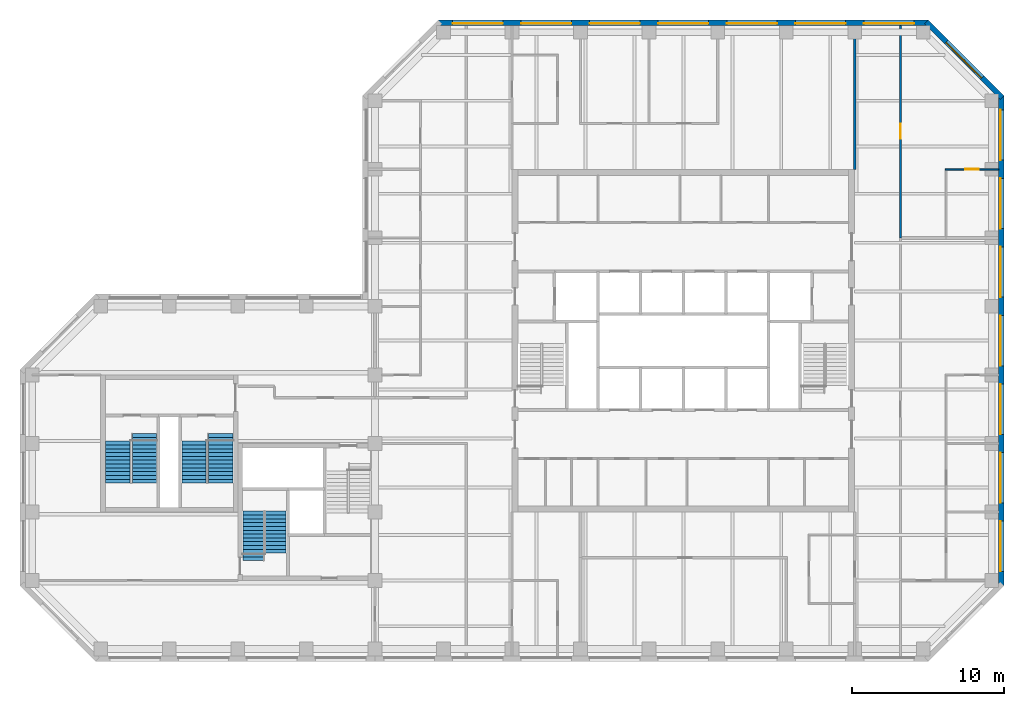
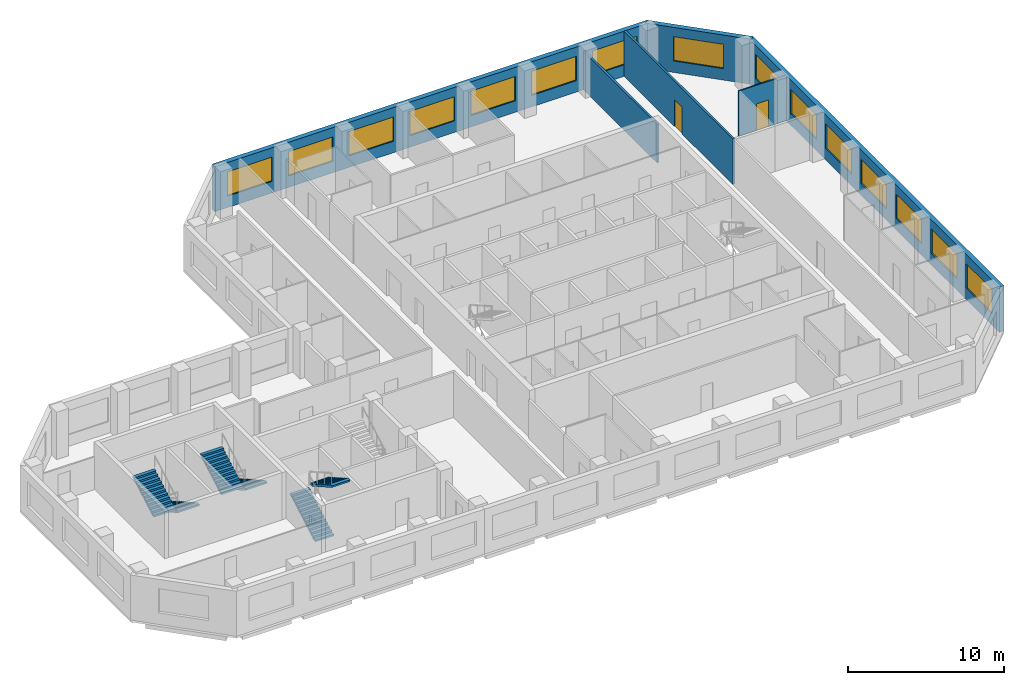
# One storey, part 8 of 10: 15 windows, 6 stair flights, 6 walls, 2 doors, 17 openings, 3 elements without a shape of their own.
"""IFC4 building model written with IfcOpenShell, lengths in metres."""

from ifc_helpers import new_model, si_unit, direction, frame, frame_2d, origin, place, context, subcontext, project, spatial, polyline, rectangle, outline, extrude, material, layer, layer_set, constituent, constituent_set, type_object, element, fill, aggregate, save


model = new_model("IFC4")

# Units and contexts
model_context = context("Model", 3, precision=1e-05, world=origin(), true_north=direction((0.0, 1.0)))
body_context = subcontext(model_context, "Body", "Model", "MODEL_VIEW")
ifc_project = project(units=[si_unit("LENGTHUNIT", "METRE"), si_unit("AREAUNIT", "SQUARE_METRE"), si_unit("VOLUMEUNIT", "CUBIC_METRE"), si_unit("PLANEANGLEUNIT", "RADIAN"), si_unit("MASSUNIT", "GRAM", prefix="KILO")], contexts=[model_context])

# Site, building, storey
site_placement = place(None, origin())
site = spatial("IfcSite", under=ifc_project, at=site_placement, CompositionType="ELEMENT")
building_placement = place(site_placement, origin())
building = spatial("IfcBuilding", under=site, at=building_placement, Name="Quoin Convention Tower", CompositionType="ELEMENT")
storey_placement = place(building_placement, frame((0.0, 0.0, 256.300048828125)))
storey = spatial("IfcBuildingStorey", under=building, at=storey_placement, Name="L67", CompositionType="ELEMENT", Elevation=256.300048828125)

# Wall, openings, windows
ifc_material_1 = material(Name="Brick masonry", Category="masonry")
ifc_layer_1 = layer(ifc_material_1, 0.35009765625)
ifc_layer_set_1 = layer_set([ifc_layer_1], Name="Brick masonry")
wall_type_1 = type_object("IfcWallType", Name="Brick facade wall", PredefinedType="STANDARD", material=ifc_layer_set_1)
wall_1_placement = place(storey_placement, frame((77.125, 44.668701171875, 0.0), z_axis=(0.0, 0.0, 1.0), x_axis=(0.0, 1.0, 0.0)))
wall_1 = element("IfcWall", 1, at=wall_1_placement, inside=storey, type_object=wall_type_1, Name="fw-L67-76500_45000", PredefinedType="STANDARD", context=body_context, shape_type="SweptSolid", body=[
    extrude(rectangle(XDim=32.16259765625, YDim=0.35009765625, at=frame_2d((16.081298828125, 0.0))), origin(), (0.0, 0.0, 1.0), 3.52490234375),
])
opening_1_placement = place(wall_1_placement, frame((0.931396484375, 0.0, 0.89990234375)))
opening_1 = element("IfcOpeningElement", 2, at=opening_1_placement, cuts=wall_1, Name="Opening W-02", PredefinedType="OPENING", context=body_context, shape_type="SweptSolid", body=[
    extrude(rectangle(XDim=3.300048828125, YDim=1.89990234375, at=frame_2d((1.64990234375, 0.949951171875))), frame((0.0, 0.18505859375, 0.0), z_axis=(0.0, -1.0, 0.0), x_axis=(1.0, 0.0, 0.0)), (0.0, 0.0, 1.0), 0.3701171875),
])
opening_2_placement = place(wall_1_placement, frame((5.431396484375, 0.0, 0.89990234375)))
opening_2 = element("IfcOpeningElement", 3, at=opening_2_placement, cuts=wall_1, Name="Opening W-02", PredefinedType="OPENING", context=body_context, shape_type="SweptSolid", body=[
    extrude(rectangle(XDim=3.300048828125, YDim=1.89990234375, at=frame_2d((1.64990234375, 0.949951171875))), frame((0.0, 0.18505859375, 0.0), z_axis=(0.0, -1.0, 0.0), x_axis=(1.0, 0.0, 0.0)), (0.0, 0.0, 1.0), 0.3701171875),
])
opening_3_placement = place(wall_1_placement, frame((9.931396484375, 0.0, 0.89990234375)))
opening_3 = element("IfcOpeningElement", 4, at=opening_3_placement, cuts=wall_1, Name="Opening W-02", PredefinedType="OPENING", context=body_context, shape_type="SweptSolid", body=[
    extrude(rectangle(XDim=3.300048828125, YDim=1.89990234375, at=frame_2d((1.64990234375, 0.949951171875))), frame((0.0, 0.18505859375, 0.0), z_axis=(0.0, -1.0, 0.0), x_axis=(1.0, 0.0, 0.0)), (0.0, 0.0, 1.0), 0.3701171875),
])
opening_4_placement = place(wall_1_placement, frame((14.431396484375, 0.0, 0.89990234375)))
opening_4 = element("IfcOpeningElement", 5, at=opening_4_placement, cuts=wall_1, Name="Opening W-02", PredefinedType="OPENING", context=body_context, shape_type="SweptSolid", body=[
    extrude(rectangle(XDim=3.300048828125, YDim=1.89990234375, at=frame_2d((1.64990234375, 0.949951171875))), frame((0.0, 0.18505859375, 0.0), z_axis=(0.0, -1.0, 0.0), x_axis=(1.0, 0.0, 0.0)), (0.0, 0.0, 1.0), 0.3701171875),
])
opening_5_placement = place(wall_1_placement, frame((18.931396484375, 0.0, 0.89990234375)))
opening_5 = element("IfcOpeningElement", 6, at=opening_5_placement, cuts=wall_1, Name="Opening W-02", PredefinedType="OPENING", context=body_context, shape_type="SweptSolid", body=[
    extrude(rectangle(XDim=3.300048828125, YDim=1.89990234375, at=frame_2d((1.64990234375, 0.949951171875))), frame((0.0, 0.18505859375, 0.0), z_axis=(0.0, -1.0, 0.0), x_axis=(1.0, 0.0, 0.0)), (0.0, 0.0, 1.0), 0.3701171875),
])
opening_6_placement = place(wall_1_placement, frame((23.431396484375, 0.0, 0.89990234375)))
opening_6 = element("IfcOpeningElement", 7, at=opening_6_placement, cuts=wall_1, Name="Opening W-02", PredefinedType="OPENING", context=body_context, shape_type="SweptSolid", body=[
    extrude(rectangle(XDim=3.300048828125, YDim=1.89990234375, at=frame_2d((1.64990234375, 0.949951171875))), frame((0.0, 0.18505859375, 0.0), z_axis=(0.0, -1.0, 0.0), x_axis=(1.0, 0.0, 0.0)), (0.0, 0.0, 1.0), 0.3701171875),
])
opening_7_placement = place(wall_1_placement, frame((27.931396484375, 0.0, 0.89990234375)))
opening_7 = element("IfcOpeningElement", 8, at=opening_7_placement, cuts=wall_1, Name="Opening W-02", PredefinedType="OPENING", context=body_context, shape_type="SweptSolid", body=[
    extrude(rectangle(XDim=3.300048828125, YDim=1.89990234375, at=frame_2d((1.64990234375, 0.949951171875))), frame((0.0, 0.18505859375, 0.0), z_axis=(0.0, -1.0, 0.0), x_axis=(1.0, 0.0, 0.0)), (0.0, 0.0, 1.0), 0.3701171875),
])
ifc_material_2 = material(Name="Aluminium", Category="aluminium")
ifc_constituent_1 = constituent(ifc_material_2, Name="Frame")
ifc_material_3 = material(Name="Insulated glass", Category="glass")
ifc_constituent_2 = constituent(ifc_material_3, Name="Glazing")
ifc_constituent_set = constituent_set(constituents=[ifc_constituent_1, ifc_constituent_2], Name="Aluminium")
window_type = type_object("IfcWindowType", Name="Office window", PartitioningType="DOUBLE_PANEL_VERTICAL", PredefinedType="WINDOW", material=ifc_constituent_set)
window_1_placement = place(opening_1_placement, origin())
window_1 = element("IfcWindow", 9, at=window_1_placement, inside=storey, type_object=window_type, Name="win-L67-77125_47250", OverallHeight=1.89990234375, OverallWidth=3.300048828125, PartitioningType="SINGLE_PANEL", PredefinedType="WINDOW", context=body_context, shape_type="SweptSolid", body=[
    extrude(rectangle(XDim=3.300048828125, YDim=1.89990234375, at=frame_2d((1.64990234375, 0.949951171875))), frame((0.0, 0.0849609375, 0.0), z_axis=(0.0, -1.0, 0.0), x_axis=(1.0, 0.0, 0.0)), (0.0, 0.0, 1.0), 0.06005859375),
])
fill(opening_1, window_1)
window_2_placement = place(opening_2_placement, origin())
window_2 = element("IfcWindow", 10, at=window_2_placement, inside=storey, type_object=window_type, Name="win-L67-77125_51750", OverallHeight=1.89990234375, OverallWidth=3.300048828125, PartitioningType="SINGLE_PANEL", PredefinedType="WINDOW", context=body_context, shape_type="SweptSolid", body=[
    extrude(rectangle(XDim=3.300048828125, YDim=1.89990234375, at=frame_2d((1.64990234375, 0.949951171875))), frame((0.0, 0.0849609375, 0.0), z_axis=(0.0, -1.0, 0.0), x_axis=(1.0, 0.0, 0.0)), (0.0, 0.0, 1.0), 0.06005859375),
])
fill(opening_2, window_2)
window_3_placement = place(opening_3_placement, origin())
window_3 = element("IfcWindow", 11, at=window_3_placement, inside=storey, type_object=window_type, Name="win-L67-77125_56250", OverallHeight=1.89990234375, OverallWidth=3.300048828125, PartitioningType="SINGLE_PANEL", PredefinedType="WINDOW", context=body_context, shape_type="SweptSolid", body=[
    extrude(rectangle(XDim=3.300048828125, YDim=1.89990234375, at=frame_2d((1.64990234375, 0.949951171875))), frame((0.0, 0.0849609375, 0.0), z_axis=(0.0, -1.0, 0.0), x_axis=(1.0, 0.0, 0.0)), (0.0, 0.0, 1.0), 0.06005859375),
])
fill(opening_3, window_3)
window_4_placement = place(opening_4_placement, origin())
window_4 = element("IfcWindow", 12, at=window_4_placement, inside=storey, type_object=window_type, Name="win-L67-77125_60750", OverallHeight=1.89990234375, OverallWidth=3.300048828125, PartitioningType="SINGLE_PANEL", PredefinedType="WINDOW", context=body_context, shape_type="SweptSolid", body=[
    extrude(rectangle(XDim=3.300048828125, YDim=1.89990234375, at=frame_2d((1.64990234375, 0.949951171875))), frame((0.0, 0.0849609375, 0.0), z_axis=(0.0, -1.0, 0.0), x_axis=(1.0, 0.0, 0.0)), (0.0, 0.0, 1.0), 0.06005859375),
])
fill(opening_4, window_4)
window_5_placement = place(opening_5_placement, origin())
window_5 = element("IfcWindow", 13, at=window_5_placement, inside=storey, type_object=window_type, Name="win-L67-77125_65250", OverallHeight=1.89990234375, OverallWidth=3.300048828125, PartitioningType="SINGLE_PANEL", PredefinedType="WINDOW", context=body_context, shape_type="SweptSolid", body=[
    extrude(rectangle(XDim=3.300048828125, YDim=1.89990234375, at=frame_2d((1.64990234375, 0.949951171875))), frame((0.0, 0.0849609375, 0.0), z_axis=(0.0, -1.0, 0.0), x_axis=(1.0, 0.0, 0.0)), (0.0, 0.0, 1.0), 0.06005859375),
])
fill(opening_5, window_5)
window_6_placement = place(opening_6_placement, origin())
window_6 = element("IfcWindow", 14, at=window_6_placement, inside=storey, type_object=window_type, Name="win-L67-77125_69750", OverallHeight=1.89990234375, OverallWidth=3.300048828125, PartitioningType="SINGLE_PANEL", PredefinedType="WINDOW", context=body_context, shape_type="SweptSolid", body=[
    extrude(rectangle(XDim=3.300048828125, YDim=1.89990234375, at=frame_2d((1.64990234375, 0.949951171875))), frame((0.0, 0.0849609375, 0.0), z_axis=(0.0, -1.0, 0.0), x_axis=(1.0, 0.0, 0.0)), (0.0, 0.0, 1.0), 0.06005859375),
])
fill(opening_6, window_6)
window_7_placement = place(opening_7_placement, origin())
window_7 = element("IfcWindow", 15, at=window_7_placement, inside=storey, type_object=window_type, Name="win-L67-77125_74250", OverallHeight=1.89990234375, OverallWidth=3.300048828125, PartitioningType="SINGLE_PANEL", PredefinedType="WINDOW", context=body_context, shape_type="SweptSolid", body=[
    extrude(rectangle(XDim=3.300048828125, YDim=1.89990234375, at=frame_2d((1.64990234375, 0.949951171875))), frame((0.0, 0.0849609375, 0.0), z_axis=(0.0, -1.0, 0.0), x_axis=(1.0, 0.0, 0.0)), (0.0, 0.0, 1.0), 0.06005859375),
])
fill(opening_7, window_7)

# Wall, opening, window
wall_2_placement = place(storey_placement, frame((77.17626953125, 76.70751953125, 0.0), z_axis=(0.0, 0.0, 1.0), x_axis=(-0.707106781187, 0.707106781187, 0.0)))
wall_2 = element("IfcWall", 16, at=wall_2_placement, inside=storey, type_object=wall_type_1, Name="fw-L67-76500_76500", PredefinedType="STANDARD", context=body_context, shape_type="SweptSolid", body=[
    extrude(rectangle(XDim=7.02685546875, YDim=0.35009765625, at=frame_2d((3.513427734375, 0.0))), origin(), (0.0, 0.0, 1.0), 3.52490234375),
])
opening_8_placement = place(wall_2_placement, frame((1.86328125, 0.0, 0.89990234375)))
opening_8 = element("IfcOpeningElement", 17, at=opening_8_placement, cuts=wall_2, Name="Opening W-02", PredefinedType="OPENING", context=body_context, shape_type="SweptSolid", body=[
    extrude(rectangle(XDim=3.300048828125, YDim=1.89990234375, at=frame_2d((1.64990234375, 0.949951171875))), frame((0.0, 0.18505859375, 0.0), z_axis=(0.0, -1.0, 0.0), x_axis=(1.0, 0.0, 0.0)), (0.0, 0.0, 1.0), 0.3701171875),
])
window_8_placement = place(opening_8_placement, origin())
window_8 = element("IfcWindow", 18, at=window_8_placement, inside=storey, type_object=window_type, Name="win-L67-74692_79192", OverallHeight=1.89990234375, OverallWidth=3.300048828125, PartitioningType="SINGLE_PANEL", PredefinedType="WINDOW", context=body_context, shape_type="SweptSolid", body=[
    extrude(rectangle(XDim=3.300048828125, YDim=1.89990234375, at=frame_2d((1.64990234375, 0.949951171875))), frame((0.0, 0.0849609375, 0.0), z_axis=(0.0, -1.0, 0.0), x_axis=(1.0, 0.0, 0.0)), (0.0, 0.0, 1.0), 0.06005859375),
])
fill(opening_8, window_8)

# Wall, openings, windows
wall_3_placement = place(storey_placement, frame((72.331298828125, 81.625, 0.0), z_axis=(0.0, 0.0, 1.0), x_axis=(-1.0, 0.0, 0.0)))
wall_3 = element("IfcWall", 19, at=wall_3_placement, inside=storey, type_object=wall_type_1, Name="fw-L67-72000_81000", PredefinedType="STANDARD", context=body_context, shape_type="SweptSolid", body=[
    extrude(rectangle(XDim=32.16259765625, YDim=0.35009765625, at=frame_2d((16.081298828125, 0.0))), origin(), (0.0, 0.0, 1.0), 3.52490234375),
])
opening_9_placement = place(wall_3_placement, frame((0.931396484375, 0.0, 0.89990234375)))
opening_9 = element("IfcOpeningElement", 20, at=opening_9_placement, cuts=wall_3, Name="Opening W-02", PredefinedType="OPENING", context=body_context, shape_type="SweptSolid", body=[
    extrude(rectangle(XDim=3.300048828125, YDim=1.89990234375, at=frame_2d((1.64990234375, 0.949951171875))), frame((0.0, 0.18505859375, 0.0), z_axis=(0.0, -1.0, 0.0), x_axis=(1.0, 0.0, 0.0)), (0.0, 0.0, 1.0), 0.3701171875),
])
opening_10_placement = place(wall_3_placement, frame((5.431396484375, 0.0, 0.89990234375)))
opening_10 = element("IfcOpeningElement", 21, at=opening_10_placement, cuts=wall_3, Name="Opening W-02", PredefinedType="OPENING", context=body_context, shape_type="SweptSolid", body=[
    extrude(rectangle(XDim=3.300048828125, YDim=1.89990234375, at=frame_2d((1.64990234375, 0.949951171875))), frame((0.0, 0.18505859375, 0.0), z_axis=(0.0, -1.0, 0.0), x_axis=(1.0, 0.0, 0.0)), (0.0, 0.0, 1.0), 0.3701171875),
])
opening_11_placement = place(wall_3_placement, frame((9.931396484375, 0.0, 0.89990234375)))
opening_11 = element("IfcOpeningElement", 22, at=opening_11_placement, cuts=wall_3, Name="Opening W-02", PredefinedType="OPENING", context=body_context, shape_type="SweptSolid", body=[
    extrude(rectangle(XDim=3.300048828125, YDim=1.89990234375, at=frame_2d((1.64990234375, 0.949951171875))), frame((0.0, 0.18505859375, 0.0), z_axis=(0.0, -1.0, 0.0), x_axis=(1.0, 0.0, 0.0)), (0.0, 0.0, 1.0), 0.3701171875),
])
opening_12_placement = place(wall_3_placement, frame((14.431396484375, 0.0, 0.89990234375)))
opening_12 = element("IfcOpeningElement", 23, at=opening_12_placement, cuts=wall_3, Name="Opening W-02", PredefinedType="OPENING", context=body_context, shape_type="SweptSolid", body=[
    extrude(rectangle(XDim=3.300048828125, YDim=1.89990234375, at=frame_2d((1.64990234375, 0.949951171875))), frame((0.0, 0.18505859375, 0.0), z_axis=(0.0, -1.0, 0.0), x_axis=(1.0, 0.0, 0.0)), (0.0, 0.0, 1.0), 0.3701171875),
])
opening_13_placement = place(wall_3_placement, frame((18.931396484375, 0.0, 0.89990234375)))
opening_13 = element("IfcOpeningElement", 24, at=opening_13_placement, cuts=wall_3, Name="Opening W-02", PredefinedType="OPENING", context=body_context, shape_type="SweptSolid", body=[
    extrude(rectangle(XDim=3.300048828125, YDim=1.89990234375, at=frame_2d((1.64990234375, 0.949951171875))), frame((0.0, 0.18505859375, 0.0), z_axis=(0.0, -1.0, 0.0), x_axis=(1.0, 0.0, 0.0)), (0.0, 0.0, 1.0), 0.3701171875),
])
opening_14_placement = place(wall_3_placement, frame((23.431396484375, 0.0, 0.89990234375)))
opening_14 = element("IfcOpeningElement", 25, at=opening_14_placement, cuts=wall_3, Name="Opening W-02", PredefinedType="OPENING", context=body_context, shape_type="SweptSolid", body=[
    extrude(rectangle(XDim=3.300048828125, YDim=1.89990234375, at=frame_2d((1.64990234375, 0.949951171875))), frame((0.0, 0.18505859375, 0.0), z_axis=(0.0, -1.0, 0.0), x_axis=(1.0, 0.0, 0.0)), (0.0, 0.0, 1.0), 0.3701171875),
])
opening_15_placement = place(wall_3_placement, frame((27.931396484375, 0.0, 0.89990234375)))
opening_15 = element("IfcOpeningElement", 26, at=opening_15_placement, cuts=wall_3, Name="Opening W-02", PredefinedType="OPENING", context=body_context, shape_type="SweptSolid", body=[
    extrude(rectangle(XDim=3.300048828125, YDim=1.89990234375, at=frame_2d((1.64990234375, 0.949951171875))), frame((0.0, 0.18505859375, 0.0), z_axis=(0.0, -1.0, 0.0), x_axis=(1.0, 0.0, 0.0)), (0.0, 0.0, 1.0), 0.3701171875),
])
window_9_placement = place(opening_9_placement, origin())
window_9 = element("IfcWindow", 27, at=window_9_placement, inside=storey, type_object=window_type, Name="win-L67-69750_81625", OverallHeight=1.89990234375, OverallWidth=3.300048828125, PartitioningType="SINGLE_PANEL", PredefinedType="WINDOW", context=body_context, shape_type="SweptSolid", body=[
    extrude(rectangle(XDim=3.300048828125, YDim=1.89990234375, at=frame_2d((1.64990234375, 0.949951171875))), frame((0.0, 0.0849609375, 0.0), z_axis=(0.0, -1.0, 0.0), x_axis=(1.0, 0.0, 0.0)), (0.0, 0.0, 1.0), 0.06005859375),
])
fill(opening_9, window_9)
window_10_placement = place(opening_10_placement, origin())
window_10 = element("IfcWindow", 28, at=window_10_placement, inside=storey, type_object=window_type, Name="win-L67-65250_81625", OverallHeight=1.89990234375, OverallWidth=3.300048828125, PartitioningType="SINGLE_PANEL", PredefinedType="WINDOW", context=body_context, shape_type="SweptSolid", body=[
    extrude(rectangle(XDim=3.300048828125, YDim=1.89990234375, at=frame_2d((1.64990234375, 0.949951171875))), frame((0.0, 0.0849609375, 0.0), z_axis=(0.0, -1.0, 0.0), x_axis=(1.0, 0.0, 0.0)), (0.0, 0.0, 1.0), 0.06005859375),
])
fill(opening_10, window_10)
window_11_placement = place(opening_11_placement, origin())
window_11 = element("IfcWindow", 29, at=window_11_placement, inside=storey, type_object=window_type, Name="win-L67-60750_81625", OverallHeight=1.89990234375, OverallWidth=3.300048828125, PartitioningType="SINGLE_PANEL", PredefinedType="WINDOW", context=body_context, shape_type="SweptSolid", body=[
    extrude(rectangle(XDim=3.300048828125, YDim=1.89990234375, at=frame_2d((1.64990234375, 0.949951171875))), frame((0.0, 0.0849609375, 0.0), z_axis=(0.0, -1.0, 0.0), x_axis=(1.0, 0.0, 0.0)), (0.0, 0.0, 1.0), 0.06005859375),
])
fill(opening_11, window_11)
window_12_placement = place(opening_12_placement, origin())
window_12 = element("IfcWindow", 30, at=window_12_placement, inside=storey, type_object=window_type, Name="win-L67-56250_81625", OverallHeight=1.89990234375, OverallWidth=3.300048828125, PartitioningType="SINGLE_PANEL", PredefinedType="WINDOW", context=body_context, shape_type="SweptSolid", body=[
    extrude(rectangle(XDim=3.300048828125, YDim=1.89990234375, at=frame_2d((1.64990234375, 0.949951171875))), frame((0.0, 0.0849609375, 0.0), z_axis=(0.0, -1.0, 0.0), x_axis=(1.0, 0.0, 0.0)), (0.0, 0.0, 1.0), 0.06005859375),
])
fill(opening_12, window_12)
window_13_placement = place(opening_13_placement, origin())
window_13 = element("IfcWindow", 31, at=window_13_placement, inside=storey, type_object=window_type, Name="win-L67-51750_81625", OverallHeight=1.89990234375, OverallWidth=3.300048828125, PartitioningType="SINGLE_PANEL", PredefinedType="WINDOW", context=body_context, shape_type="SweptSolid", body=[
    extrude(rectangle(XDim=3.300048828125, YDim=1.89990234375, at=frame_2d((1.64990234375, 0.949951171875))), frame((0.0, 0.0849609375, 0.0), z_axis=(0.0, -1.0, 0.0), x_axis=(1.0, 0.0, 0.0)), (0.0, 0.0, 1.0), 0.06005859375),
])
fill(opening_13, window_13)
window_14_placement = place(opening_14_placement, origin())
window_14 = element("IfcWindow", 32, at=window_14_placement, inside=storey, type_object=window_type, Name="win-L67-47250_81625", OverallHeight=1.89990234375, OverallWidth=3.300048828125, PartitioningType="SINGLE_PANEL", PredefinedType="WINDOW", context=body_context, shape_type="SweptSolid", body=[
    extrude(rectangle(XDim=3.300048828125, YDim=1.89990234375, at=frame_2d((1.64990234375, 0.949951171875))), frame((0.0, 0.0849609375, 0.0), z_axis=(0.0, -1.0, 0.0), x_axis=(1.0, 0.0, 0.0)), (0.0, 0.0, 1.0), 0.06005859375),
])
fill(opening_14, window_14)
window_15_placement = place(opening_15_placement, origin())
window_15 = element("IfcWindow", 33, at=window_15_placement, inside=storey, type_object=window_type, Name="win-L67-42750_81625", OverallHeight=1.89990234375, OverallWidth=3.300048828125, PartitioningType="SINGLE_PANEL", PredefinedType="WINDOW", context=body_context, shape_type="SweptSolid", body=[
    extrude(rectangle(XDim=3.300048828125, YDim=1.89990234375, at=frame_2d((1.64990234375, 0.949951171875))), frame((0.0, 0.0849609375, 0.0), z_axis=(0.0, -1.0, 0.0), x_axis=(1.0, 0.0, 0.0)), (0.0, 0.0, 1.0), 0.06005859375),
])
fill(opening_15, window_15)

# Wall, opening, door
ifc_material_4 = material(Name="Plasterboard")
ifc_layer_2 = layer(ifc_material_4, 0.012451171875, Name="Finish")
ifc_material_5 = material(Name="Steel stud framing", Category="steel")
ifc_layer_3 = layer(ifc_material_5, 0.125, Name="Structure")
ifc_layer_4 = layer(ifc_material_4, 0.012451171875, Name="Finish")
ifc_layer_set_2 = layer_set([ifc_layer_2, ifc_layer_3, ifc_layer_4], Name="Steel stud framing")
wall_type_2 = type_object("IfcWallType", Name="Corridor wall 150", PredefinedType="PARTITIONING", material=ifc_layer_set_2)
wall_4_placement = place(storey_placement, frame((70.5, 67.5, 0.0), z_axis=(0.0, 0.0, 1.0), x_axis=(0.0, 1.0, 0.0)))
wall_4 = element("IfcWall", 34, at=wall_4_placement, inside=storey, type_object=wall_type_2, Name="pw-L67-070", PredefinedType="PARTITIONING", context=body_context, shape_type="SweptSolid", body=[
    extrude(rectangle(XDim=13.949951171875, YDim=0.14990234375, at=frame_2d((6.97509765625, 0.0))), origin(), (0.0, 0.0, 1.0), 3.550048828125),
])
opening_16_placement = place(wall_4_placement, frame((6.5, 0.0, 0.0)))
opening_16 = element("IfcOpeningElement", 35, at=opening_16_placement, cuts=wall_4, Name="Opening DOHX-20", PredefinedType="OPENING", context=body_context, shape_type="SweptSolid", body=[
    extrude(rectangle(XDim=1.0, YDim=2.10009765625, at=frame_2d((0.5, 1.050048828125))), frame((0.0, 0.0849609375, 0.0), z_axis=(0.0, -1.0, 0.0), x_axis=(1.0, 0.0, 0.0)), (0.0, 0.0, 1.0), 0.169921875),
])
ifc_material_6 = material(Name="Steel door leaf", Category="steel")
door_type_1 = type_object("IfcDoorType", Name="Tenancy entrance door 1000 x 2100", OperationType="DOUBLE_DOOR_SINGLE_SWING", PredefinedType="DOOR", material=ifc_material_6)
door_1_placement = place(opening_16_placement, frame((1.0, 0.0, 0.0), z_axis=(0.0, 0.0, 1.0), x_axis=(-1.0, 0.0, 0.0)))
door_1 = element("IfcDoor", 36, at=door_1_placement, inside=storey, type_object=door_type_1, Name="dr-L67-30", OperationType="DOUBLE_DOOR_SINGLE_SWING", OverallHeight=2.10009765625, OverallWidth=1.0, PredefinedType="DOOR", context=body_context, shape_type="SweptSolid", body=[
    extrude(rectangle(XDim=1.0, YDim=2.10009765625, at=frame_2d((0.5, 1.050048828125))), frame((0.0, 0.02490234375, 0.0), z_axis=(0.0, -1.0, 0.0), x_axis=(1.0, 0.0, 0.0)), (0.0, 0.0, 1.0), 0.050048828125),
])
fill(opening_16, door_1)

# Wall
ifc_layer_5 = layer(ifc_material_4, 0.012451171875, Name="Finish")
ifc_layer_6 = layer(ifc_material_5, 0.125, Name="Structure")
ifc_layer_7 = layer(ifc_material_4, 0.012451171875, Name="Finish")
ifc_layer_set_3 = layer_set([ifc_layer_5, ifc_layer_6, ifc_layer_7], Name="Steel stud framing")
wall_type_3 = type_object("IfcWallType", Name="Corridor wall 150 under beam 528", PredefinedType="PARTITIONING", material=ifc_layer_set_3)
wall_5_placement = place(storey_placement, frame((67.5, 72.0, 0.0), z_axis=(0.0, 0.0, 1.0), x_axis=(0.0, 1.0, 0.0)))
element("IfcWall", 37, at=wall_5_placement, inside=storey, type_object=wall_type_3, Name="pw-L67-074", PredefinedType="PARTITIONING", context=body_context, shape_type="SweptSolid", body=[
    extrude(rectangle(XDim=9.449951171875, YDim=0.14990234375, at=frame_2d((4.72509765625, 0.0))), origin(), (0.0, 0.0, 1.0), 3.02197265625),
])

# Wall, opening, door
ifc_layer_8 = layer(ifc_material_4, 0.012451171875, Name="Finish")
ifc_layer_9 = layer(ifc_material_5, 0.074951171875, Name="Structure")
ifc_layer_10 = layer(ifc_material_4, 0.012451171875, Name="Finish")
ifc_layer_set_4 = layer_set([ifc_layer_8, ifc_layer_9, ifc_layer_10], Name="Steel stud framing")
wall_type_4 = type_object("IfcWallType", Name="Stud partition 100", PredefinedType="PARTITIONING", material=ifc_layer_set_4)
wall_6_placement = place(storey_placement, frame((73.449951171875, 72.0, 0.0), z_axis=(0.0, 0.0, 1.0), x_axis=(1.0, 0.0, 0.0)))
wall_6 = element("IfcWall", 38, at=wall_6_placement, inside=storey, type_object=wall_type_4, Name="pw-L67-028", PredefinedType="PARTITIONING", context=body_context, shape_type="SweptSolid", body=[
    extrude(rectangle(XDim=3.5, YDim=0.10009765625, at=frame_2d((1.75, 0.0))), origin(), (0.0, 0.0, 1.0), 3.550048828125),
])
opening_17_placement = place(wall_6_placement, frame((1.300048828125, 0.0, 0.0)))
opening_17 = element("IfcOpeningElement", 39, at=opening_17_placement, cuts=wall_6, Name="Opening DOHX-07", PredefinedType="OPENING", context=body_context, shape_type="SweptSolid", body=[
    extrude(rectangle(XDim=0.89990234375, YDim=2.10009765625, at=frame_2d((0.449951171875, 1.050048828125))), frame((0.0, 0.06005859375, 0.0), z_axis=(0.0, -1.0, 0.0), x_axis=(1.0, 0.0, 0.0)), (0.0, 0.0, 1.0), 0.1201171875),
])
door_type_2 = type_object("IfcDoorType", Name="Office door 900 x 2100", OperationType="SINGLE_SWING_RIGHT", PredefinedType="DOOR", material=ifc_material_6)
door_2_placement = place(opening_17_placement, origin())
door_2 = element("IfcDoor", 40, at=door_2_placement, inside=storey, type_object=door_type_2, Name="dr-L67-31", OperationType="SINGLE_SWING_RIGHT", OverallHeight=2.10009765625, OverallWidth=0.89990234375, PredefinedType="DOOR", context=body_context, shape_type="SweptSolid", body=[
    extrude(rectangle(XDim=0.89990234375, YDim=2.10009765625, at=frame_2d((0.449951171875, 1.050048828125))), frame((0.0, 0.02490234375, 0.0), z_axis=(0.0, -1.0, 0.0), x_axis=(1.0, 0.0, 0.0)), (0.0, 0.0, 1.0), 0.050048828125),
])
fill(opening_17, door_2)

# Stair, stair flights
ifc_material_7 = material(Name="Concrete C40", Category="concrete")
stair_type_1 = type_object("IfcStairType", Name="Exit stair two-flight 1350", PredefinedType="HALF_TURN_STAIR", material=ifc_material_7)
stair_1_placement = place(storey_placement, origin())
stair_1 = element("IfcStair", 41, at=stair_1_placement, inside=storey, type_object=stair_type_1, Name="SD3 L67", PredefinedType="HALF_TURN_STAIR")
stair_flight_type_1 = type_object("IfcStairFlightType", Name="Stair flight 1350", PredefinedType="STRAIGHT", material=ifc_material_7)
stair_flight_1_placement = place(storey_placement, frame((28.0, 46.300048828125, 0.0), z_axis=(0.0, 0.0, 1.0), x_axis=(0.0, 1.0, 0.0)))
stair_flight_1 = element("IfcStairFlight", 42, at=stair_flight_1_placement, type_object=stair_flight_type_1, Name="ST3 flight 1", NumberOfRisers=14, NumberOfTreads=13, PredefinedType="STRAIGHT", RiserHeight=0.142307692, TreadLength=0.25, context=body_context, shape_type="SweptSolid", body=[
    extrude(outline(polyline([(0.0, 0.0), (0.0, 0.142333984375), (0.25, 0.142333984375), (0.25, 0.28466796875), (0.5, 0.28466796875), (0.5, 0.427001953125), (0.75, 0.427001953125), (0.75, 0.5693359375), (1.0, 0.5693359375), (1.0, 0.71142578125), (1.25, 0.71142578125), (1.25, 0.853759765625), (1.5, 0.853759765625), (1.5, 0.99609375), (1.75, 0.99609375), (1.75, 1.138427734375), (2.0, 1.138427734375), (2.0, 1.28076171875), (2.25, 1.28076171875), (2.25, 1.423095703125), (2.5, 1.423095703125), (2.5, 1.5654296875), (2.75, 1.5654296875), (2.75, 1.707763671875), (3.0, 1.707763671875), (3.0, 1.85009765625), (3.25, 1.85009765625), (3.25, 1.9921875), (3.25, 1.711669921875), (0.242919921875, 0.0), (0.0, 0.0)])), frame((0.0, 0.675048828125, 0.0), z_axis=(0.0, -1.0, 0.0), x_axis=(1.0, 0.0, 0.0)), (0.0, 0.0, 1.0), 1.35009765625),
])
stair_flight_2_placement = place(storey_placement, frame((29.5, 49.550048828125, 1.9921875), z_axis=(0.0, 0.0, 1.0), x_axis=(0.0, -1.0, 0.0)))
stair_flight_2 = element("IfcStairFlight", 43, at=stair_flight_2_placement, type_object=stair_flight_type_1, Name="ST3 flight 2", NumberOfRisers=12, NumberOfTreads=11, PredefinedType="STRAIGHT", RiserHeight=0.142307692, TreadLength=0.25, context=body_context, shape_type="SweptSolid", body=[
    extrude(outline(polyline([(0.0, 0.0), (0.0, 0.142333984375), (0.25, 0.142333984375), (0.25, 0.28466796875), (0.5, 0.28466796875), (0.5, 0.427001953125), (0.75, 0.427001953125), (0.75, 0.5693359375), (1.0, 0.5693359375), (1.0, 0.71142578125), (1.25, 0.71142578125), (1.25, 0.853759765625), (1.5, 0.853759765625), (1.5, 0.99609375), (1.75, 0.99609375), (1.75, 1.138427734375), (2.0, 1.138427734375), (2.0, 1.28076171875), (2.25, 1.28076171875), (2.25, 1.423095703125), (2.5, 1.423095703125), (2.5, 1.5654296875), (2.75, 1.5654296875), (2.75, 1.707763671875), (2.75, 1.42724609375), (0.242919921875, 0.0), (0.0, 0.0)])), frame((0.0, 0.675048828125, 0.0), z_axis=(0.0, -1.0, 0.0), x_axis=(1.0, 0.0, 0.0)), (0.0, 0.0, 1.0), 1.35009765625),
])
aggregate(stair_1, [stair_flight_1, stair_flight_2])

stair_type_2 = type_object("IfcStairType", Name="Exit stair two-flight 1600", PredefinedType="HALF_TURN_STAIR", material=ifc_material_7)
stair_2_placement = place(storey_placement, origin())
stair_2 = element("IfcStair", 44, at=stair_2_placement, inside=storey, type_object=stair_type_2, Name="SD11 L67", PredefinedType="HALF_TURN_STAIR")
stair_flight_type_2 = type_object("IfcStairFlightType", Name="Stair flight 1600", PredefinedType="STRAIGHT", material=ifc_material_7)
stair_flight_3_placement = place(storey_placement, frame((20.875, 54.64990234375, 0.0), z_axis=(0.0, 0.0, 1.0), x_axis=(0.0, -1.0, 0.0)))
stair_flight_3 = element("IfcStairFlight", 45, at=stair_flight_3_placement, type_object=stair_flight_type_2, Name="ST11 flight 1", NumberOfRisers=14, NumberOfTreads=13, PredefinedType="STRAIGHT", RiserHeight=0.142307692, TreadLength=0.25, context=body_context, shape_type="SweptSolid", body=[
    extrude(outline(polyline([(0.0, 0.0), (0.0, 0.142333984375), (0.25, 0.142333984375), (0.25, 0.28466796875), (0.5, 0.28466796875), (0.5, 0.427001953125), (0.75, 0.427001953125), (0.75, 0.5693359375), (1.0, 0.5693359375), (1.0, 0.71142578125), (1.25, 0.71142578125), (1.25, 0.853759765625), (1.5, 0.853759765625), (1.5, 0.99609375), (1.75, 0.99609375), (1.75, 1.138427734375), (2.0, 1.138427734375), (2.0, 1.28076171875), (2.25, 1.28076171875), (2.25, 1.423095703125), (2.5, 1.423095703125), (2.5, 1.5654296875), (2.75, 1.5654296875), (2.75, 1.707763671875), (3.0, 1.707763671875), (3.0, 1.85009765625), (3.25, 1.85009765625), (3.25, 1.9921875), (3.25, 1.711669921875), (0.242919921875, 0.0), (0.0, 0.0)])), frame((0.0, 0.800048828125, 0.0), z_axis=(0.0, -1.0, 0.0), x_axis=(1.0, 0.0, 0.0)), (0.0, 0.0, 1.0), 1.60009765625),
])
stair_flight_4_placement = place(storey_placement, frame((19.125, 51.39990234375, 1.9921875), z_axis=(0.0, 0.0, 1.0), x_axis=(0.0, 1.0, 0.0)))
stair_flight_4 = element("IfcStairFlight", 46, at=stair_flight_4_placement, type_object=stair_flight_type_2, Name="ST11 flight 2", NumberOfRisers=12, NumberOfTreads=11, PredefinedType="STRAIGHT", RiserHeight=0.142307692, TreadLength=0.25, context=body_context, shape_type="SweptSolid", body=[
    extrude(outline(polyline([(0.0, 0.0), (0.0, 0.142333984375), (0.25, 0.142333984375), (0.25, 0.28466796875), (0.5, 0.28466796875), (0.5, 0.427001953125), (0.75, 0.427001953125), (0.75, 0.5693359375), (1.0, 0.5693359375), (1.0, 0.71142578125), (1.25, 0.71142578125), (1.25, 0.853759765625), (1.5, 0.853759765625), (1.5, 0.99609375), (1.75, 0.99609375), (1.75, 1.138427734375), (2.0, 1.138427734375), (2.0, 1.28076171875), (2.25, 1.28076171875), (2.25, 1.423095703125), (2.5, 1.423095703125), (2.5, 1.5654296875), (2.75, 1.5654296875), (2.75, 1.707763671875), (2.75, 1.42724609375), (0.242919921875, 0.0), (0.0, 0.0)])), frame((0.0, 0.800048828125, 0.0), z_axis=(0.0, -1.0, 0.0), x_axis=(1.0, 0.0, 0.0)), (0.0, 0.0, 1.0), 1.60009765625),
])
aggregate(stair_2, [stair_flight_3, stair_flight_4])

stair_3_placement = place(storey_placement, origin())
stair_3 = element("IfcStair", 47, at=stair_3_placement, inside=storey, type_object=stair_type_2, Name="SD12 L67", PredefinedType="HALF_TURN_STAIR")
stair_flight_5_placement = place(storey_placement, frame((25.875, 54.64990234375, 0.0), z_axis=(0.0, 0.0, 1.0), x_axis=(0.0, -1.0, 0.0)))
stair_flight_5 = element("IfcStairFlight", 48, at=stair_flight_5_placement, type_object=stair_flight_type_2, Name="ST12 flight 1", NumberOfRisers=14, NumberOfTreads=13, PredefinedType="STRAIGHT", RiserHeight=0.142307692, TreadLength=0.25, context=body_context, shape_type="SweptSolid", body=[
    extrude(outline(polyline([(0.0, 0.0), (0.0, 0.142333984375), (0.25, 0.142333984375), (0.25, 0.28466796875), (0.5, 0.28466796875), (0.5, 0.427001953125), (0.75, 0.427001953125), (0.75, 0.5693359375), (1.0, 0.5693359375), (1.0, 0.71142578125), (1.25, 0.71142578125), (1.25, 0.853759765625), (1.5, 0.853759765625), (1.5, 0.99609375), (1.75, 0.99609375), (1.75, 1.138427734375), (2.0, 1.138427734375), (2.0, 1.28076171875), (2.25, 1.28076171875), (2.25, 1.423095703125), (2.5, 1.423095703125), (2.5, 1.5654296875), (2.75, 1.5654296875), (2.75, 1.707763671875), (3.0, 1.707763671875), (3.0, 1.85009765625), (3.25, 1.85009765625), (3.25, 1.9921875), (3.25, 1.711669921875), (0.242919921875, 0.0), (0.0, 0.0)])), frame((0.0, 0.800048828125, 0.0), z_axis=(0.0, -1.0, 0.0), x_axis=(1.0, 0.0, 0.0)), (0.0, 0.0, 1.0), 1.60009765625),
])
stair_flight_6_placement = place(storey_placement, frame((24.125, 51.39990234375, 1.9921875), z_axis=(0.0, 0.0, 1.0), x_axis=(0.0, 1.0, 0.0)))
stair_flight_6 = element("IfcStairFlight", 49, at=stair_flight_6_placement, type_object=stair_flight_type_2, Name="ST12 flight 2", NumberOfRisers=12, NumberOfTreads=11, PredefinedType="STRAIGHT", RiserHeight=0.142307692, TreadLength=0.25, context=body_context, shape_type="SweptSolid", body=[
    extrude(outline(polyline([(0.0, 0.0), (0.0, 0.142333984375), (0.25, 0.142333984375), (0.25, 0.28466796875), (0.5, 0.28466796875), (0.5, 0.427001953125), (0.75, 0.427001953125), (0.75, 0.5693359375), (1.0, 0.5693359375), (1.0, 0.71142578125), (1.25, 0.71142578125), (1.25, 0.853759765625), (1.5, 0.853759765625), (1.5, 0.99609375), (1.75, 0.99609375), (1.75, 1.138427734375), (2.0, 1.138427734375), (2.0, 1.28076171875), (2.25, 1.28076171875), (2.25, 1.423095703125), (2.5, 1.423095703125), (2.5, 1.5654296875), (2.75, 1.5654296875), (2.75, 1.707763671875), (2.75, 1.42724609375), (0.242919921875, 0.0), (0.0, 0.0)])), frame((0.0, 0.800048828125, 0.0), z_axis=(0.0, -1.0, 0.0), x_axis=(1.0, 0.0, 0.0)), (0.0, 0.0, 1.0), 1.60009765625),
])
aggregate(stair_3, [stair_flight_5, stair_flight_6])

save(model, "model.ifc")
